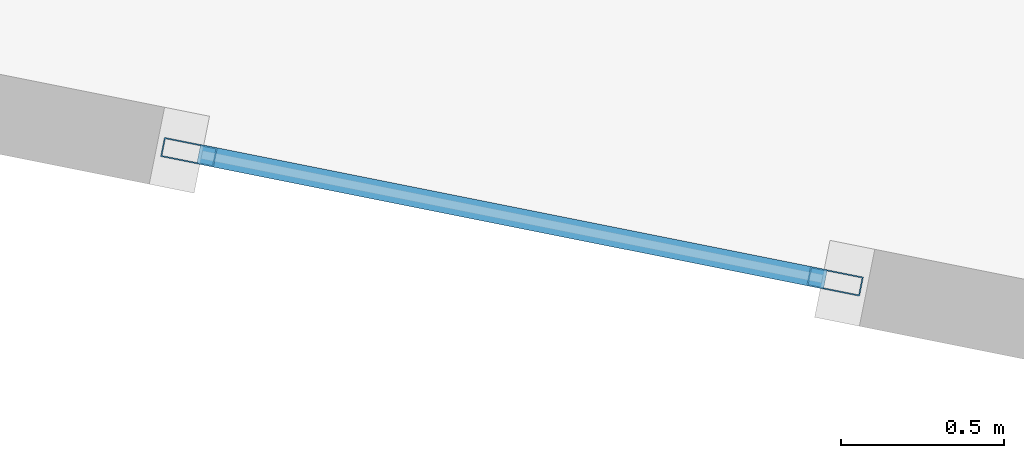
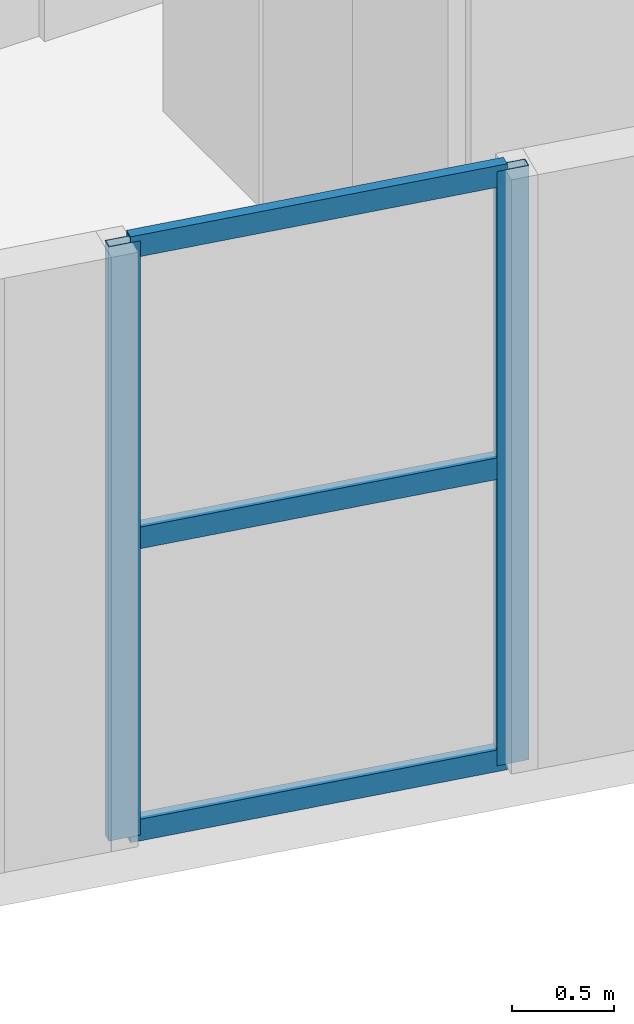
# One storey, part 2 of 16: 5 members, 1 element without a shape of its own.
"""IFC4 building model written with IfcOpenShell, lengths in metres."""

from ifc_helpers import new_model, si_unit, direction, frame, origin, origin_2d, place, context, subcontext, project, spatial, hollow_rectangle, extrude, material, layer, layer_set, material_profile, profile_set, type_object, element, aggregate, save


model = new_model("IFC4")

# Units and contexts
model_context = context("Model", 3, precision=1e-05, world=origin(), true_north=direction((0.0, 1.0)))
body_context = subcontext(model_context, "Body", "Model", "MODEL_VIEW")
ifc_project = project(units=[si_unit("LENGTHUNIT", "METRE"), si_unit("AREAUNIT", "SQUARE_METRE"), si_unit("VOLUMEUNIT", "CUBIC_METRE"), si_unit("PLANEANGLEUNIT", "RADIAN"), si_unit("MASSUNIT", "GRAM", prefix="KILO")], contexts=[model_context])

# Site, building, storey
site_placement = place(None, origin())
site = spatial("IfcSite", under=ifc_project, at=site_placement, CompositionType="ELEMENT")
building_placement = place(site_placement, origin())
building = spatial("IfcBuilding", under=site, at=building_placement, Name="Miruveldt Soraemaru", CompositionType="ELEMENT")
storey_placement = place(building_placement, frame((0.0, 0.0, 271.25)))
storey = spatial("IfcBuildingStorey", under=building, at=storey_placement, Name="L74", CompositionType="ELEMENT", Elevation=271.25)

# Curtain wall, members
ifc_material = material(Name="Anodised aluminium EN AW-6063 T6", Category="aluminium")
ifc_layer = layer(ifc_material, 0.1650390625, Name="Anodised aluminium EN AW-6063 T6", Category="aluminium")
ifc_layer_set = layer_set([ifc_layer], Name="Anodised aluminium EN AW-6063 T6")
curtain_wall_type = type_object("IfcCurtainWallType", Name="CW-SYS-5", PredefinedType="USERDEFINED", material=ifc_layer_set)
curtain_wall_placement = place(storey_placement, origin())
curtain_wall = element("IfcCurtainWall", 1, at=curtain_wall_placement, inside=storey, type_object=curtain_wall_type, Name="L74 Curtain Wall Bay 22", ObjectType="UNITISED GLAZING", PredefinedType="USERDEFINED")
ifc_material_profile_1 = material_profile(ifc_material, hollow_rectangle(XDim=0.06005859375, YDim=0.1650390625, WallThickness=0.00390625, at=origin_2d()), Name="Anodised aluminium EN AW-6063 T6", Category="aluminium")
ifc_profile_set_1 = profile_set([ifc_material_profile_1], Name="Anodised aluminium EN AW-6063 T6")
member_type_1 = type_object("IfcMemberType", Name="CWM-5", PredefinedType="MULLION", material=ifc_profile_set_1)
member_1_placement = place(storey_placement, frame((34.7392578125, 27.243896484375, 0.0), z_axis=(0.0, 0.0, 1.0), x_axis=(0.196097599308, 0.980584382675, 0.0)))
member_1 = element("IfcMember", 2, at=member_1_placement, type_object=member_type_1, Name="CW-5 mullion 1", PredefinedType="MULLION", context=body_context, shape_type="SweptSolid", body=[
    extrude(hollow_rectangle(XDim=0.06005859375, YDim=0.1650390625, WallThickness=0.00390625, at=origin_2d()), origin(), (0.0, 0.0, 1.0), 3.56494140625),
])
member_2_placement = place(storey_placement, frame((36.715087890625, 26.848876953125, 0.0), z_axis=(0.0, 0.0, 1.0), x_axis=(0.196097599308, 0.980584382675, 0.0)))
member_2 = element("IfcMember", 3, at=member_2_placement, type_object=member_type_1, Name="CW-5 mullion 2", PredefinedType="MULLION", context=body_context, shape_type="SweptSolid", body=[
    extrude(hollow_rectangle(XDim=0.06005859375, YDim=0.1650390625, WallThickness=0.00390625, at=origin_2d()), origin(), (0.0, 0.0, 1.0), 3.56494140625),
])
ifc_material_profile_2 = material_profile(ifc_material, hollow_rectangle(XDim=0.06005859375, YDim=0.1298828125, WallThickness=0.00390625, at=origin_2d()), Name="Anodised aluminium EN AW-6063 T6", Category="aluminium")
ifc_profile_set_2 = profile_set([ifc_material_profile_2], Name="Anodised aluminium EN AW-6063 T6")
member_type_2 = type_object("IfcMemberType", Name="CWT-5", PredefinedType="USERDEFINED", material=ifc_profile_set_2)
member_3_placement = place(storey_placement, frame((34.768798828125, 27.238037109375, 0.030029296875), z_axis=(0.980590280987, -0.196068102541, 0.0), x_axis=(0.196068102541, 0.980590280987, 0.0)))
member_3 = element("IfcMember", 4, at=member_3_placement, type_object=member_type_2, Name="CW-5 transom 1.1", ObjectType="TRANSOM", PredefinedType="USERDEFINED", context=body_context, shape_type="SweptSolid", body=[
    extrude(hollow_rectangle(XDim=0.06005859375, YDim=0.1298828125, WallThickness=0.00390625, at=origin_2d()), origin(), (0.0, 0.0, 1.0), 1.954833984375),
])
member_4_placement = place(storey_placement, frame((34.768798828125, 27.238037109375, 1.782470703125), z_axis=(0.980590280987, -0.196068102541, 0.0), x_axis=(0.196068102541, 0.980590280987, 0.0)))
member_4 = element("IfcMember", 5, at=member_4_placement, type_object=member_type_2, Name="CW-5 transom 1.2", ObjectType="TRANSOM", PredefinedType="USERDEFINED", context=body_context, shape_type="SweptSolid", body=[
    extrude(hollow_rectangle(XDim=0.06005859375, YDim=0.1298828125, WallThickness=0.00390625, at=origin_2d()), origin(), (0.0, 0.0, 1.0), 1.954833984375),
])
member_5_placement = place(storey_placement, frame((34.768798828125, 27.238037109375, 3.534912109375), z_axis=(0.980590280987, -0.196068102541, 0.0), x_axis=(0.196068102541, 0.980590280987, 0.0)))
member_5 = element("IfcMember", 6, at=member_5_placement, type_object=member_type_2, Name="CW-5 transom 1.3", ObjectType="TRANSOM", PredefinedType="USERDEFINED", context=body_context, shape_type="SweptSolid", body=[
    extrude(hollow_rectangle(XDim=0.06005859375, YDim=0.1298828125, WallThickness=0.00390625, at=origin_2d()), origin(), (0.0, 0.0, 1.0), 1.954833984375),
])
aggregate(curtain_wall, [member_1, member_2, member_3, member_4, member_5])

save(model, "model.ifc")
